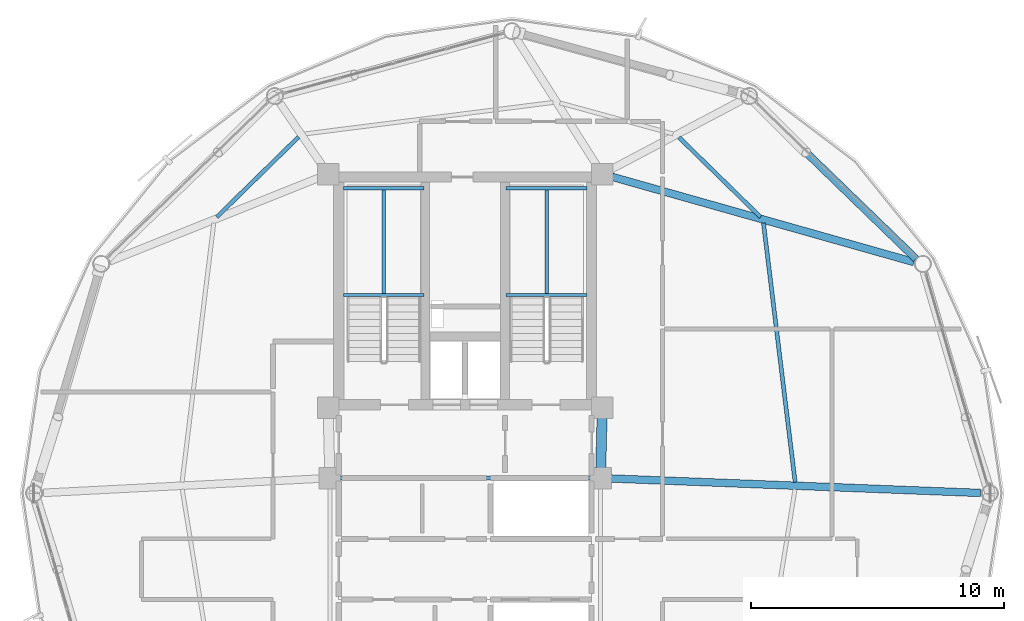
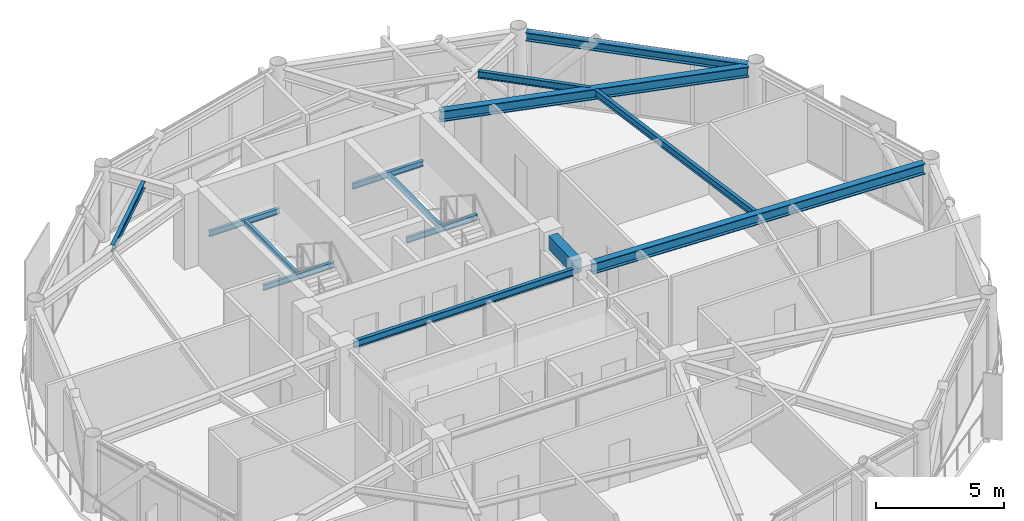
# One storey, part 14 of 28: 14 beams.
"""IFC4 building model written with IfcOpenShell, lengths in metres."""

from ifc_helpers import new_model, si_unit, direction, frame, origin, origin_2d, place, context, subcontext, project, spatial, rectangle, i_section, extrude, material, material_profile, profile_set, type_object, element, save


model = new_model("IFC4")

# Units and contexts
model_context = context("Model", 3, precision=1e-05, world=origin(), true_north=direction((0.0, 1.0)))
body_context = subcontext(model_context, "Body", "Model", "MODEL_VIEW")
ifc_project = project(units=[si_unit("LENGTHUNIT", "METRE"), si_unit("AREAUNIT", "SQUARE_METRE"), si_unit("VOLUMEUNIT", "CUBIC_METRE"), si_unit("PLANEANGLEUNIT", "RADIAN"), si_unit("MASSUNIT", "GRAM", prefix="KILO")], contexts=[model_context])

# Site, building, storey
site_placement = place(None, origin())
site = spatial("IfcSite", under=ifc_project, at=site_placement, CompositionType="ELEMENT")
building_placement = place(site_placement, origin())
building = spatial("IfcBuilding", under=site, at=building_placement, Name="Varnakorn Sky Granary", CompositionType="ELEMENT")
storey_placement = place(building_placement, frame((0.0, 0.0, 225.60009765625)))
storey = spatial("IfcBuildingStorey", under=building, at=storey_placement, Name="L57", CompositionType="ELEMENT", Elevation=225.60009765625)

# Beams
ifc_material_1 = material(Name="Concrete C50/60", Category="concrete")
ifc_material_profile_1 = material_profile(ifc_material_1, rectangle(XDim=0.39990234375, YDim=0.64990234375, at=origin_2d()), Name="RC 400x650")
ifc_profile_set_1 = profile_set([ifc_material_profile_1], Name="Concrete C50/60")
beam_type_1 = type_object("IfcBeamType", Name="BM-LIN-650", PredefinedType="LINTEL", material=ifc_profile_set_1)
beam_1_placement = place(storey_placement, frame((8.409912109375, 2.97509765625, 3.034912109375), z_axis=(-0.025270737467, -0.99968064392, 0.0), x_axis=(0.99968064392, -0.025270737467, 0.0)))
element("IfcBeam", 1, at=beam_1_placement, inside=storey, type_object=beam_type_1, Name="Core Spine Framing Beam 2 L57", PredefinedType="LINTEL", context=body_context, shape_type="SweptSolid", body=[
    extrude(rectangle(XDim=0.39990234375, YDim=0.64990234375, at=origin_2d()), origin(), (0.0, 0.0, 1.0), 1.970947265625),
])
ifc_material_2 = material(Name="Steel S355JR", Category="steel")
ifc_material_profile_2 = material_profile(ifc_material_2, i_section(OverallWidth=0.135009765625, OverallDepth=0.27001953125, WebThickness=0.006591796875, FlangeThickness=0.01025390625, at=origin_2d()), Name="IPE 270")
ifc_profile_set_2 = profile_set([ifc_material_profile_2], Name="Steel S355JR")
beam_type_2 = type_object("IfcBeamType", Name="BM-LND-270", PredefinedType="BEAM", material=ifc_profile_set_2)
for number, where, z_axis, x_axis, name in (
    (2, (-1.820068359375, 7.840087890625, 1.46484375), (1.0, 0.0, 0.0), (0.0, 1.0, 0.0), "Stair ST-1 Landing Trimmer Beam A L57-1"),
    (3, (-1.820068359375, 12.06005859375, 1.46484375), (1.0, 0.0, 0.0), (0.0, 1.0, 0.0), "Stair ST-1 Landing Trimmer Beam B L57-1"),
):
    element("IfcBeam", number, at=place(storey_placement, frame(where, z_axis=z_axis, x_axis=x_axis)), inside=storey, type_object=beam_type_2, Name=name, PredefinedType="BEAM", context=body_context, shape_type="SweptSolid", body=[
        extrude(i_section(OverallWidth=0.135009765625, OverallDepth=0.27001953125, WebThickness=0.006591796875, FlangeThickness=0.01025390625, at=origin_2d()), origin(), (0.0, 0.0, 1.0), 3.199951171875),
    ])
beam_2_placement = place(storey_placement, frame((-0.219970703125, 7.840087890625, 1.46484375), z_axis=(0.0, 1.0, 0.0), x_axis=(-1.0, 0.0, 0.0)))
element("IfcBeam", 4, at=beam_2_placement, inside=storey, type_object=beam_type_2, Name="Stair ST-1 Landing Cross Beam C L57-1", PredefinedType="BEAM", context=body_context, shape_type="SweptSolid", body=[
    extrude(i_section(OverallWidth=0.135009765625, OverallDepth=0.27001953125, WebThickness=0.006591796875, FlangeThickness=0.01025390625, at=origin_2d()), origin(), (0.0, 0.0, 1.0), 4.219970703125),
])
for number, where, z_axis, x_axis, name in (
    (5, (4.6201171875, 7.840087890625, 1.46484375), (1.0, 0.0, 0.0), (0.0, 1.0, 0.0), "Stair ST-2 Landing Trimmer Beam A L57-1"),
    (6, (4.6201171875, 12.06005859375, 1.46484375), (1.0, 0.0, 0.0), (0.0, 1.0, 0.0), "Stair ST-2 Landing Trimmer Beam B L57-1"),
):
    element("IfcBeam", number, at=place(storey_placement, frame(where, z_axis=z_axis, x_axis=x_axis)), inside=storey, type_object=beam_type_2, Name=name, PredefinedType="BEAM", context=body_context, shape_type="SweptSolid", body=[
        extrude(i_section(OverallWidth=0.135009765625, OverallDepth=0.27001953125, WebThickness=0.006591796875, FlangeThickness=0.01025390625, at=origin_2d()), origin(), (0.0, 0.0, 1.0), 3.199951171875),
    ])
beam_3_placement = place(storey_placement, frame((6.219970703125, 7.840087890625, 1.46484375), z_axis=(0.0, 1.0, 0.0), x_axis=(-1.0, 0.0, 0.0)))
element("IfcBeam", 7, at=beam_3_placement, inside=storey, type_object=beam_type_2, Name="Stair ST-2 Landing Cross Beam C L57-1", PredefinedType="BEAM", context=body_context, shape_type="SweptSolid", body=[
    extrude(i_section(OverallWidth=0.135009765625, OverallDepth=0.27001953125, WebThickness=0.006591796875, FlangeThickness=0.01025390625, at=origin_2d()), origin(), (0.0, 0.0, 1.0), 4.219970703125),
])
ifc_material_profile_3 = material_profile(ifc_material_2, i_section(OverallWidth=0.300048828125, OverallDepth=0.5, WebThickness=0.014404296875, FlangeThickness=0.028076171875, at=origin_2d()), Name="HE 500 B")
ifc_profile_set_3 = profile_set([ifc_material_profile_3], Name="Steel S355JR")
beam_type_3 = type_object("IfcBeamType", Name="BM-RAD-Z4", PredefinedType="BEAM", material=ifc_profile_set_3)
beam_4_placement = place(storey_placement, frame((8.754638671875, 0.584228515625, 3.10986328125), z_axis=(0.999234882748, -0.039110728693, 0.0), x_axis=(0.039110728693, 0.999234882748, 0.0)))
element("IfcBeam", 8, at=beam_4_placement, inside=storey, type_object=beam_type_3, Name="Radial Floor Girder RG01 L57", PredefinedType="BEAM", context=body_context, shape_type="SweptSolid", body=[
    extrude(i_section(OverallWidth=0.300048828125, OverallDepth=0.5, WebThickness=0.014404296875, FlangeThickness=0.028076171875, at=origin_2d()), origin(), (0.0, 0.0, 1.0), 14.625732421875),
])
beam_5_placement = place(storey_placement, frame((8.809814453125, 12.510009765625, 3.10986328125), z_axis=(0.962329006441, -0.27188763003, 0.0), x_axis=(0.27188763003, 0.962329006441, 0.0)))
element("IfcBeam", 9, at=beam_5_placement, inside=storey, type_object=beam_type_3, Name="Radial Floor Girder RG02 L57", PredefinedType="BEAM", context=body_context, shape_type="SweptSolid", body=[
    extrude(i_section(OverallWidth=0.300048828125, OverallDepth=0.5, WebThickness=0.014404296875, FlangeThickness=0.028076171875, at=origin_2d()), origin(), (0.0, 0.0, 1.0), 12.39794921875),
])
ifc_material_profile_4 = material_profile(ifc_material_2, i_section(OverallWidth=0.159912109375, OverallDepth=0.330078125, WebThickness=0.007568359375, FlangeThickness=0.011474609375, at=origin_2d()), Name="IPE 330")
ifc_profile_set_4 = profile_set([ifc_material_profile_4], Name="Steel S355JR")
beam_type_4 = type_object("IfcBeamType", Name="BM-SEC-Z4", PredefinedType="BEAM", material=ifc_profile_set_4)
beam_6_placement = place(storey_placement, frame((16.044921875, 0.437255859375, 3.19482421875), z_axis=(-0.121330561479, 0.992612157316, 0.0), x_axis=(-0.992612157316, -0.121330561479, 0.0)))
element("IfcBeam", 10, at=beam_6_placement, inside=storey, type_object=beam_type_4, Name="Secondary Floor Chord Beam MSB01 L57", PredefinedType="BEAM", context=body_context, shape_type="SweptSolid", body=[
    extrude(i_section(OverallWidth=0.159912109375, OverallDepth=0.330078125, WebThickness=0.007568359375, FlangeThickness=0.011474609375, at=origin_2d()), origin(), (0.0, 0.0, 1.0), 10.324462890625),
])
beam_7_placement = place(storey_placement, frame((14.675048828125, 10.92236328125, 3.19482421875), z_axis=(-0.71526162306, 0.698856788317, 0.0), x_axis=(-0.698856788317, -0.71526162306, 0.0)))
element("IfcBeam", 11, at=beam_7_placement, inside=storey, type_object=beam_type_4, Name="Secondary Floor Chord Beam MSB02 L57", PredefinedType="BEAM", context=body_context, shape_type="SweptSolid", body=[
    extrude(i_section(OverallWidth=0.159912109375, OverallDepth=0.330078125, WebThickness=0.007568359375, FlangeThickness=0.011474609375, at=origin_2d()), origin(), (0.0, 0.0, 1.0), 4.50927734375),
])
beam_8_placement = place(storey_placement, frame((-3.585205078125, 14.08984375, 3.19482421875), z_axis=(-0.714420116992, -0.699717011682, 0.0), x_axis=(0.699717011682, -0.714420116992, 0.0)))
element("IfcBeam", 12, at=beam_8_placement, inside=storey, type_object=beam_type_4, Name="Secondary Floor Chord Beam MSB05 L57", PredefinedType="BEAM", context=body_context, shape_type="SweptSolid", body=[
    extrude(i_section(OverallWidth=0.159912109375, OverallDepth=0.330078125, WebThickness=0.007568359375, FlangeThickness=0.011474609375, at=origin_2d()), origin(), (0.0, 0.0, 1.0), 4.533203125),
])
beam_9_placement = place(storey_placement, frame((-1.945068359375, 0.60009765625, 3.19482421875), z_axis=(1.0, 0.0, 0.0), x_axis=(0.0, 1.0, 0.0)))
element("IfcBeam", 13, at=beam_9_placement, inside=storey, type_object=beam_type_4, Name="Core Spine Framing Beam 5 L57", PredefinedType="BEAM", context=body_context, shape_type="SweptSolid", body=[
    extrude(i_section(OverallWidth=0.159912109375, OverallDepth=0.330078125, WebThickness=0.007568359375, FlangeThickness=0.011474609375, at=origin_2d()), origin(), (0.0, 0.0, 1.0), 9.89013671875),
])
ifc_material_profile_5 = material_profile(ifc_material_2, i_section(OverallWidth=0.300048828125, OverallDepth=0.39990234375, WebThickness=0.013427734375, FlangeThickness=0.02392578125, at=origin_2d()), Name="HE 400 B")
ifc_profile_set_5 = profile_set([ifc_material_profile_5], Name="Steel S355JR")
beam_type_5 = type_object("IfcBeamType", Name="BM-SPD-Z4", PredefinedType="SPANDREL", material=ifc_profile_set_5)
beam_10_placement = place(storey_placement, frame((20.8173828125, 9.272705078125, 3.159912109375), z_axis=(-0.71838933823, 0.695641257199, 0.0), x_axis=(-0.695641257199, -0.71838933823, 0.0)))
element("IfcBeam", 14, at=beam_10_placement, inside=storey, type_object=beam_type_5, Name="Perimeter Spandrel Ring Beam RB02 L57", PredefinedType="SPANDREL", context=body_context, shape_type="SweptSolid", body=[
    extrude(i_section(OverallWidth=0.300048828125, OverallDepth=0.39990234375, WebThickness=0.013427734375, FlangeThickness=0.02392578125, at=origin_2d()), origin(), (0.0, 0.0, 1.0), 8.897216796875),
])

save(model, "model.ifc")
